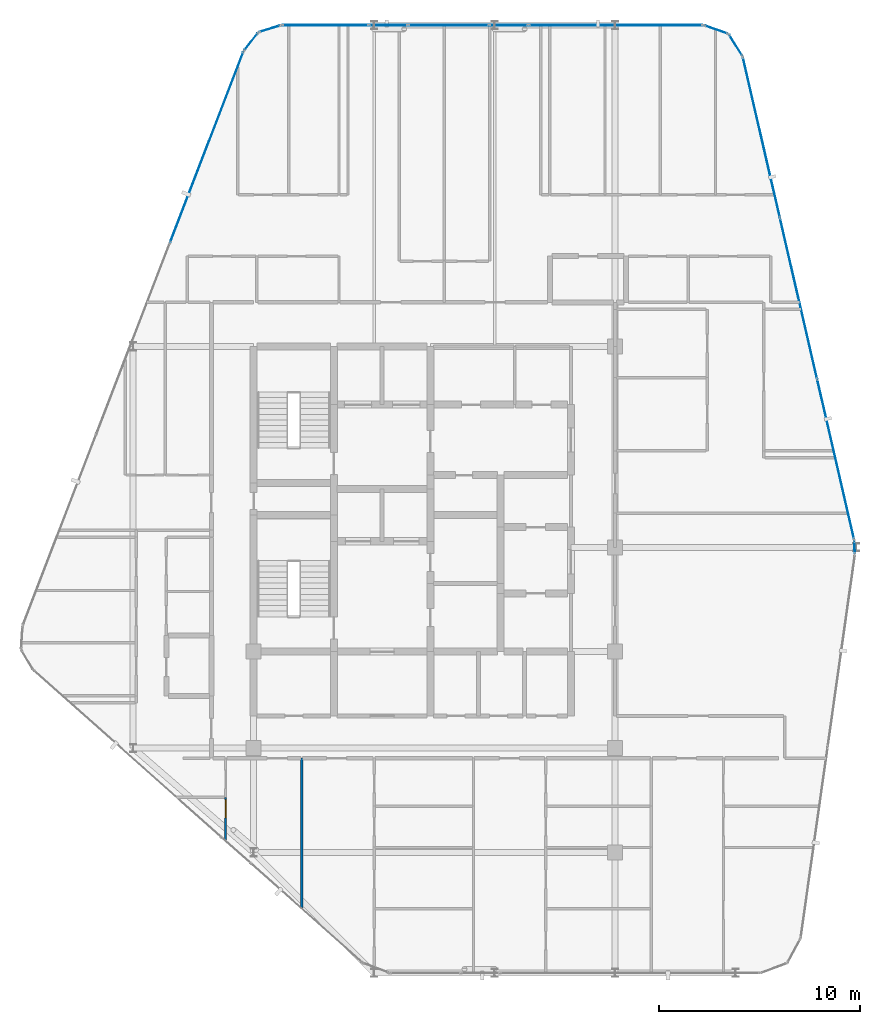
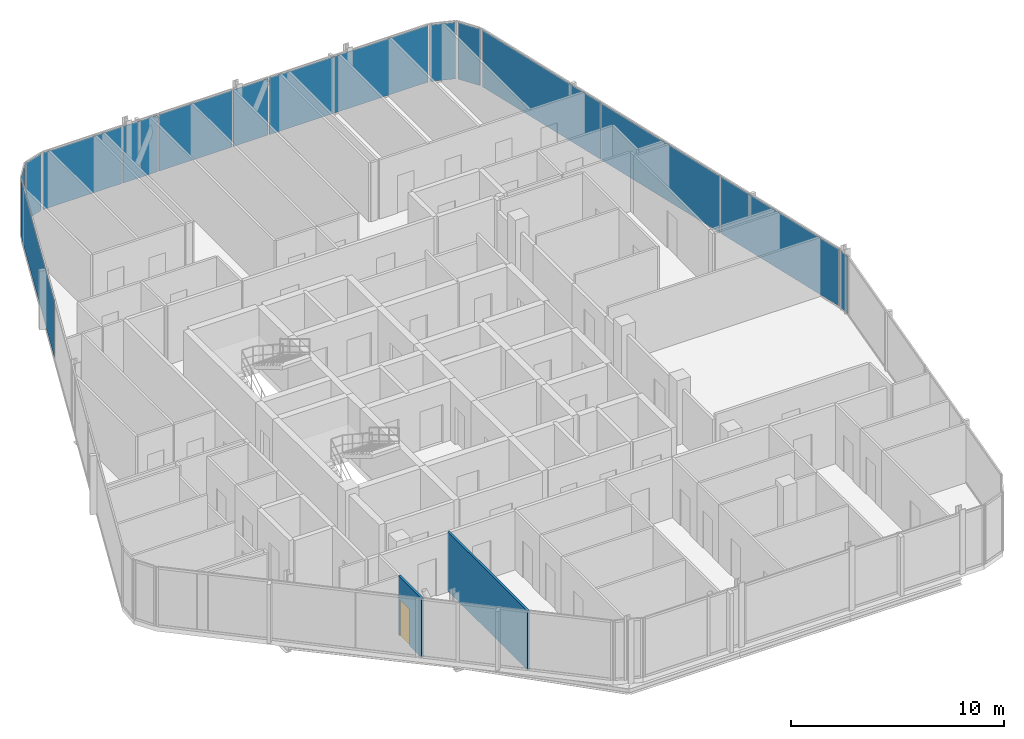
# One storey, part 21 of 28: 14 plates, 2 walls, 1 door, 1 opening, 12 elements without a shape of their own.
"""IFC4 building model written with IfcOpenShell, lengths in metres."""

from ifc_helpers import new_model, si_unit, direction, frame, frame_2d, origin, origin_2d, place, context, subcontext, project, spatial, rectangle, extrude, material, layer, layer_set, type_object, element, fill, aggregate, save


model = new_model("IFC4")

# Units and contexts
model_context = context("Model", 3, precision=1e-05, world=origin(), true_north=direction((0.0, 1.0)))
body_context = subcontext(model_context, "Body", "Model", "MODEL_VIEW")
ifc_project = project(units=[si_unit("LENGTHUNIT", "METRE"), si_unit("AREAUNIT", "SQUARE_METRE"), si_unit("VOLUMEUNIT", "CUBIC_METRE"), si_unit("PLANEANGLEUNIT", "RADIAN"), si_unit("MASSUNIT", "GRAM", prefix="KILO")], contexts=[model_context])

# Site, building, storey
site_placement = place(None, origin())
site = spatial("IfcSite", under=ifc_project, at=site_placement, CompositionType="ELEMENT")
building_placement = place(site_placement, origin())
building = spatial("IfcBuilding", under=site, at=building_placement, Name="Keshet Zoharim Tower", CompositionType="ELEMENT")
storey_placement = place(building_placement, frame((0.0, 0.0, 251.0)))
storey = spatial("IfcBuildingStorey", under=building, at=storey_placement, Name="L62", CompositionType="ELEMENT", Elevation=251.0)

# Curtain wall, plate
ifc_material_1 = material(Name="Aluminium 6063-T6", Category="aluminium")
ifc_layer_1 = layer(ifc_material_1, 0.260009765625)
ifc_layer_set_1 = layer_set([ifc_layer_1], Name="Aluminium 6063-T6")
curtain_wall_type = type_object("IfcCurtainWallType", Name="CW-SYS-06", PredefinedType="NOTDEFINED", material=ifc_layer_set_1)
curtain_wall_1_placement = place(storey_placement, origin())
curtain_wall_1 = element("IfcCurtainWall", 1, at=curtain_wall_1_placement, inside=storey, type_object=curtain_wall_type, Name="L62 Unitised Curtain Wall 03", PredefinedType="NOTDEFINED")
ifc_material_2 = material(Name="Insulated Low-E Clear Glass", Category="glass")
ifc_layer_2 = layer(ifc_material_2, 0.028076171875)
ifc_layer_set_2 = layer_set([ifc_layer_2], Name="Insulated Low-E Clear Glass")
plate_type_1 = type_object("IfcPlateType", Name="CWP-03", PredefinedType="CURTAIN_PANEL", material=ifc_layer_set_2)
plate_1_placement = place(storey_placement, frame((12.665771484375, 47.830810546875, 0.070068359375), z_axis=(0.0, 0.0, 1.0), x_axis=(0.358990003907, 0.933341404361, 0.0)))
plate_1 = element("IfcPlate", 2, at=plate_1_placement, type_object=plate_type_1, Name="CW-06 panel 3.1", PredefinedType="CURTAIN_PANEL", context=body_context, shape_type="SweptSolid", body=[
    extrude(rectangle(XDim=10.1181640625, YDim=0.028076171875, at=origin_2d()), origin(), (0.0, 0.0, 1.0), 3.25),
])
aggregate(curtain_wall_1, [plate_1])

curtain_wall_2_placement = place(storey_placement, origin())
curtain_wall_2 = element("IfcCurtainWall", 3, at=curtain_wall_2_placement, inside=storey, type_object=curtain_wall_type, Name="L62 Unitised Curtain Wall 04", PredefinedType="NOTDEFINED")
plate_2_placement = place(storey_placement, frame((14.8740234375, 53.08349609375, 0.070068359375), z_axis=(0.0, 0.0, 1.0), x_axis=(0.619124525989, 0.785292825205, 0.0)))
plate_2 = element("IfcPlate", 4, at=plate_2_placement, type_object=plate_type_1, Name="CW-06 panel 1.1", PredefinedType="CURTAIN_PANEL", context=body_context, shape_type="SweptSolid", body=[
    extrude(rectangle(XDim=1.045654296875, YDim=0.028076171875, at=origin_2d()), origin(), (0.0, 0.0, 1.0), 3.25),
])
aggregate(curtain_wall_2, [plate_2])

curtain_wall_3_placement = place(storey_placement, origin())
curtain_wall_3 = element("IfcCurtainWall", 5, at=curtain_wall_3_placement, inside=storey, type_object=curtain_wall_type, Name="L62 Unitised Curtain Wall 05", PredefinedType="NOTDEFINED")
plate_3_placement = place(storey_placement, frame((15.8076171875, 53.724609375, 0.070068359375), z_axis=(0.0, 0.0, 1.0), x_axis=(0.955212151288, 0.295921857984, 0.0)))
plate_3 = element("IfcPlate", 6, at=plate_3_placement, type_object=plate_type_1, Name="CW-06 panel 1.1", PredefinedType="CURTAIN_PANEL", context=body_context, shape_type="SweptSolid", body=[
    extrude(rectangle(XDim=1.046142578125, YDim=0.028076171875, at=origin_2d()), origin(), (0.0, 0.0, 1.0), 3.25),
])
aggregate(curtain_wall_3, [plate_3])

curtain_wall_4_placement = place(storey_placement, origin())
curtain_wall_4 = element("IfcCurtainWall", 7, at=curtain_wall_4_placement, inside=storey, type_object=curtain_wall_type, Name="L62 Unitised Curtain Wall 06", PredefinedType="NOTDEFINED")
plate_4_placement = place(storey_placement, frame((18.57470703125, 53.89990234375, 0.070068359375), z_axis=(0.0, 0.0, 1.0), x_axis=(1.0, 0.0, 0.0)))
plate_4 = element("IfcPlate", 8, at=plate_4_placement, type_object=plate_type_1, Name="CW-06 panel 1.1", PredefinedType="CURTAIN_PANEL", context=body_context, shape_type="SweptSolid", body=[
    extrude(rectangle(XDim=4.26123046875, YDim=0.028076171875, at=origin_2d()), origin(), (0.0, 0.0, 1.0), 3.25),
])
aggregate(curtain_wall_4, [plate_4])

curtain_wall_5_placement = place(storey_placement, origin())
curtain_wall_5 = element("IfcCurtainWall", 9, at=curtain_wall_5_placement, inside=storey, type_object=curtain_wall_type, Name="L62 Unitised Curtain Wall 06 Part 3", PredefinedType="NOTDEFINED")
plate_5_placement = place(storey_placement, frame((24.715087890625, 53.89990234375, 0.070068359375), z_axis=(0.0, 0.0, 1.0), x_axis=(1.0, 0.0, 0.0)))
plate_5 = element("IfcPlate", 10, at=plate_5_placement, type_object=plate_type_1, Name="CW-06 panel 1.1", PredefinedType="CURTAIN_PANEL", context=body_context, shape_type="SweptSolid", body=[
    extrude(rectangle(XDim=3.98046875, YDim=0.028076171875, at=origin_2d()), origin(), (0.0, 0.0, 1.0), 3.25),
])
aggregate(curtain_wall_5, [plate_5])

curtain_wall_6_placement = place(storey_placement, origin())
curtain_wall_6 = element("IfcCurtainWall", 11, at=curtain_wall_6_placement, inside=storey, type_object=curtain_wall_type, Name="L62 Unitised Curtain Wall 06 Part 5", PredefinedType="NOTDEFINED")
plate_6_placement = place(storey_placement, frame((33.031982421875, 53.89990234375, 0.070068359375), z_axis=(0.0, 0.0, 1.0), x_axis=(1.0, 0.0, 0.0)))
plate_6 = element("IfcPlate", 12, at=plate_6_placement, type_object=plate_type_1, Name="CW-06 panel 1.1", PredefinedType="CURTAIN_PANEL", context=body_context, shape_type="SweptSolid", body=[
    extrude(rectangle(XDim=8.6142578125, YDim=0.028076171875, at=origin_2d()), origin(), (0.0, 0.0, 1.0), 3.25),
])
aggregate(curtain_wall_6, [plate_6])

curtain_wall_7_placement = place(storey_placement, origin())
curtain_wall_7 = element("IfcCurtainWall", 13, at=curtain_wall_7_placement, inside=storey, type_object=curtain_wall_type, Name="L62 Unitised Curtain Wall 07", PredefinedType="NOTDEFINED")
plate_7_placement = place(storey_placement, frame((38.031494140625, 53.6826171875, 0.070068359375), z_axis=(0.0, 0.0, 1.0), x_axis=(0.944035542119, -0.329843743636, 0.0)))
plate_7 = element("IfcPlate", 14, at=plate_7_placement, type_object=plate_type_1, Name="CW-06 panel 1.1", PredefinedType="CURTAIN_PANEL", context=body_context, shape_type="SweptSolid", body=[
    extrude(rectangle(XDim=1.1787109375, YDim=0.028076171875, at=origin_2d()), origin(), (0.0, 0.0, 1.0), 3.25),
])
aggregate(curtain_wall_7, [plate_7])

curtain_wall_8_placement = place(storey_placement, origin())
curtain_wall_8 = element("IfcCurtainWall", 15, at=curtain_wall_8_placement, inside=storey, type_object=curtain_wall_type, Name="L62 Unitised Curtain Wall 08", PredefinedType="NOTDEFINED")
plate_8_placement = place(storey_placement, frame((39.006103515625, 52.907470703125, 0.070068359375), z_axis=(0.0, 0.0, 1.0), x_axis=(0.533878858502, -0.845560976183, 0.0)))
plate_8 = element("IfcPlate", 16, at=plate_8_placement, type_object=plate_type_1, Name="CW-06 panel 1.1", PredefinedType="CURTAIN_PANEL", context=body_context, shape_type="SweptSolid", body=[
    extrude(rectangle(XDim=1.1787109375, YDim=0.028076171875, at=origin_2d()), origin(), (0.0, 0.0, 1.0), 3.25),
])
aggregate(curtain_wall_8, [plate_8])

# Curtain wall, plates
curtain_wall_9_placement = place(storey_placement, origin())
curtain_wall_9 = element("IfcCurtainWall", 17, at=curtain_wall_9_placement, inside=storey, type_object=curtain_wall_type, Name="L62 Unitised Curtain Wall 09", PredefinedType="NOTDEFINED")
plate_9_placement = place(storey_placement, frame((40.288330078125, 48.318359375, 0.070068359375), z_axis=(0.0, 0.0, 1.0), x_axis=(0.224829963294, -0.974398012932, 0.0)))
plate_9 = element("IfcPlate", 18, at=plate_9_placement, type_object=plate_type_1, Name="CW-06 panel 1.1", PredefinedType="CURTAIN_PANEL", context=body_context, shape_type="SweptSolid", body=[
    extrude(rectangle(XDim=8.13525390625, YDim=0.028076171875, at=origin_2d()), origin(), (0.0, 0.0, 1.0), 3.25),
])
plate_10_placement = place(storey_placement, frame((42.136962890625, 40.305908203125, 0.070068359375), z_axis=(0.0, 0.0, 1.0), x_axis=(0.224829963294, -0.974398012932, 0.0)))
plate_10 = element("IfcPlate", 19, at=plate_10_placement, type_object=plate_type_1, Name="CW-06 panel 2.1", PredefinedType="CURTAIN_PANEL", context=body_context, shape_type="SweptSolid", body=[
    extrude(rectangle(XDim=8.17041015625, YDim=0.028076171875, at=origin_2d()), origin(), (0.0, 0.0, 1.0), 3.25),
])
plate_11_placement = place(storey_placement, frame((43.98583984375, 32.293701171875, 0.070068359375), z_axis=(0.0, 0.0, 1.0), x_axis=(0.224829963294, -0.974398012932, 0.0)))
plate_11 = element("IfcPlate", 20, at=plate_11_placement, type_object=plate_type_1, Name="CW-06 panel 3.1", PredefinedType="CURTAIN_PANEL", context=body_context, shape_type="SweptSolid", body=[
    extrude(rectangle(XDim=8.13525390625, YDim=0.028076171875, at=origin_2d()), origin(), (0.0, 0.0, 1.0), 3.25),
])
aggregate(curtain_wall_9, [plate_9, plate_10, plate_11])

# Curtain wall, plate
curtain_wall_10_placement = place(storey_placement, origin())
curtain_wall_10 = element("IfcCurtainWall", 21, at=curtain_wall_10_placement, inside=storey, type_object=curtain_wall_type, Name="L62 Unitised Curtain Wall 10", PredefinedType="NOTDEFINED")
plate_12_placement = place(storey_placement, frame((44.931884765625, 27.89697265625, 0.070068359375), z_axis=(0.0, 0.0, 1.0), x_axis=(0.043793560626, -0.999040601801, 0.0)))
plate_12 = element("IfcPlate", 22, at=plate_12_placement, type_object=plate_type_1, Name="CW-06 panel 1.1", PredefinedType="CURTAIN_PANEL", context=body_context, shape_type="SweptSolid", body=[
    extrude(rectangle(XDim=0.5908203125, YDim=0.028076171875, at=origin_2d()), origin(), (0.0, 0.0, 1.0), 3.25),
])
aggregate(curtain_wall_10, [plate_12])

curtain_wall_11_placement = place(storey_placement, origin())
curtain_wall_11 = element("IfcCurtainWall", 23, at=curtain_wall_11_placement, inside=storey, type_object=curtain_wall_type, Name="L62 Unitised Curtain Wall 06 Part 2", PredefinedType="NOTDEFINED")
ifc_material_3 = material(Name="Insulated Aluminium Spandrel Panel", Category="aluminium")
ifc_layer_3 = layer(ifc_material_3, 0.028076171875)
ifc_layer_set_3 = layer_set([ifc_layer_3], Name="Insulated Aluminium Spandrel Panel")
plate_type_2 = type_object("IfcPlateType", Name="CWP-06", PredefinedType="CURTAIN_PANEL", material=ifc_layer_set_3)
plate_13_placement = place(storey_placement, frame((21.715087890625, 53.89990234375, 0.070068359375), z_axis=(0.0, 0.0, 1.0), x_axis=(1.0, 0.0, 0.0)))
plate_13 = element("IfcPlate", 24, at=plate_13_placement, type_object=plate_type_2, Name="CW-06 spandrel panel 1.1", PredefinedType="CURTAIN_PANEL", context=body_context, shape_type="SweptSolid", body=[
    extrude(rectangle(XDim=1.879638671875, YDim=0.028076171875, at=origin_2d()), origin(), (0.0, 0.0, 1.0), 3.25),
])
aggregate(curtain_wall_11, [plate_13])

curtain_wall_12_placement = place(storey_placement, origin())
curtain_wall_12 = element("IfcCurtainWall", 25, at=curtain_wall_12_placement, inside=storey, type_object=curtain_wall_type, Name="L62 Unitised Curtain Wall 06 Part 4", PredefinedType="NOTDEFINED")
plate_14_placement = place(storey_placement, frame((27.715087890625, 53.89990234375, 0.070068359375), z_axis=(0.0, 0.0, 1.0), x_axis=(1.0, 0.0, 0.0)))
plate_14 = element("IfcPlate", 26, at=plate_14_placement, type_object=plate_type_2, Name="CW-06 spandrel panel 1.1", PredefinedType="CURTAIN_PANEL", context=body_context, shape_type="SweptSolid", body=[
    extrude(rectangle(XDim=1.879638671875, YDim=0.028076171875, at=origin_2d()), origin(), (0.0, 0.0, 1.0), 3.25),
])
aggregate(curtain_wall_12, [plate_14])

# Wall
ifc_material_4 = material(Name="Gypsum Plasterboard", Category="gypsum")
ifc_layer_4 = layer(ifc_material_4, 0.1201171875)
ifc_layer_set_4 = layer_set([ifc_layer_4], Name="Gypsum Plasterboard")
wall_type_1 = type_object("IfcWallType", Name="WL-PART-120", PredefinedType="PARTITIONING", material=ifc_layer_set_4)
wall_1_placement = place(storey_placement, frame((17.39990234375, 9.909912109375, 0.0), z_axis=(0.0, 0.0, 1.0), x_axis=(0.0, 1.0, 0.0)))
element("IfcWall", 27, at=wall_1_placement, inside=storey, type_object=wall_type_1, Name="L62 Interior Wall 026", PredefinedType="PARTITIONING", context=body_context, shape_type="SweptSolid", body=[
    extrude(rectangle(XDim=7.489990234375, YDim=0.1201171875, at=frame_2d((3.7451171875, 0.0))), origin(), (0.0, 0.0, 1.0), 3.389892578125),
])

# Wall, opening, door
ifc_layer_5 = layer(ifc_material_4, 0.1201171875)
ifc_layer_set_5 = layer_set([ifc_layer_5], Name="Gypsum Plasterboard")
wall_type_2 = type_object("IfcWallType", Name="WL-WET-120", PredefinedType="PARTITIONING", material=ifc_layer_set_5)
wall_2_placement = place(storey_placement, frame((13.60009765625, 13.2880859375, 0.0), z_axis=(0.0, 0.0, 1.0), x_axis=(0.0, 1.0, 0.0)))
wall_2 = element("IfcWall", 28, at=wall_2_placement, inside=storey, type_object=wall_type_2, Name="L62 Interior Wall 017", PredefinedType="PARTITIONING", context=body_context, shape_type="SweptSolid", body=[
    extrude(rectangle(XDim=2.161865234375, YDim=0.1201171875, at=frame_2d((1.0810546875, 0.0))), origin(), (0.0, 0.0, 1.0), 3.389892578125),
])
opening_placement = place(wall_2_placement, frame((1.14208984375, 0.0, 0.0)))
opening = element("IfcOpeningElement", 29, at=opening_placement, cuts=wall_2, Name="Opening D-WT90", PredefinedType="OPENING", context=body_context, shape_type="SweptSolid", body=[
    extrude(rectangle(XDim=0.89990234375, YDim=2.10009765625, at=frame_2d((0.449951171875, 1.050048828125))), frame((0.0, 0.070068359375, 0.0), z_axis=(0.0, -1.0, 0.0), x_axis=(1.0, 0.0, 0.0)), (0.0, 0.0, 1.0), 0.14013671875),
])
ifc_material_5 = material(Name="Hardwood Timber", Category="wood")
door_type = type_object("IfcDoorType", Name="DR-WET-090", OperationType="NOTDEFINED", PredefinedType="DOOR", material=ifc_material_5)
door_placement = place(opening_placement, origin())
door = element("IfcDoor", 30, at=door_placement, inside=storey, type_object=door_type, Name="Apartment 6201 Bathroom Door", OperationType="SINGLE_SWING_RIGHT", OverallHeight=2.10009765625, OverallWidth=0.89990234375, PredefinedType="DOOR", context=body_context, shape_type="SweptSolid", body=[
    extrude(rectangle(XDim=0.89990234375, YDim=2.10009765625, at=frame_2d((0.449951171875, 1.050048828125))), frame((0.0, 0.02490234375, 0.0), z_axis=(0.0, -1.0, 0.0), x_axis=(1.0, 0.0, 0.0)), (0.0, 0.0, 1.0), 0.050048828125),
])
fill(opening, door)

save(model, "model.ifc")
